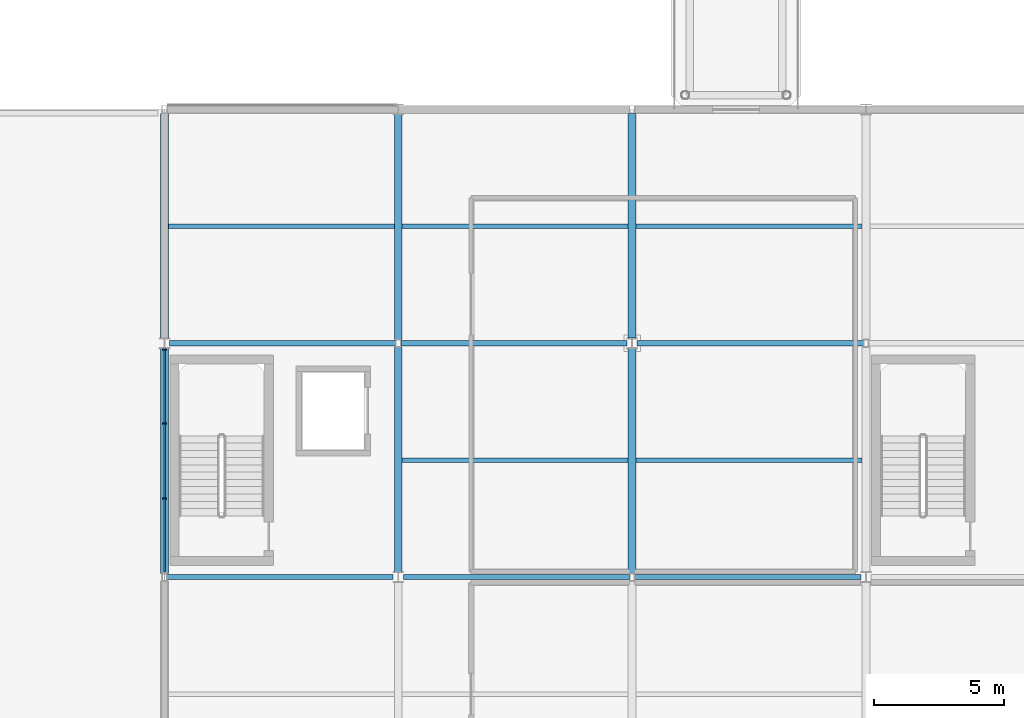
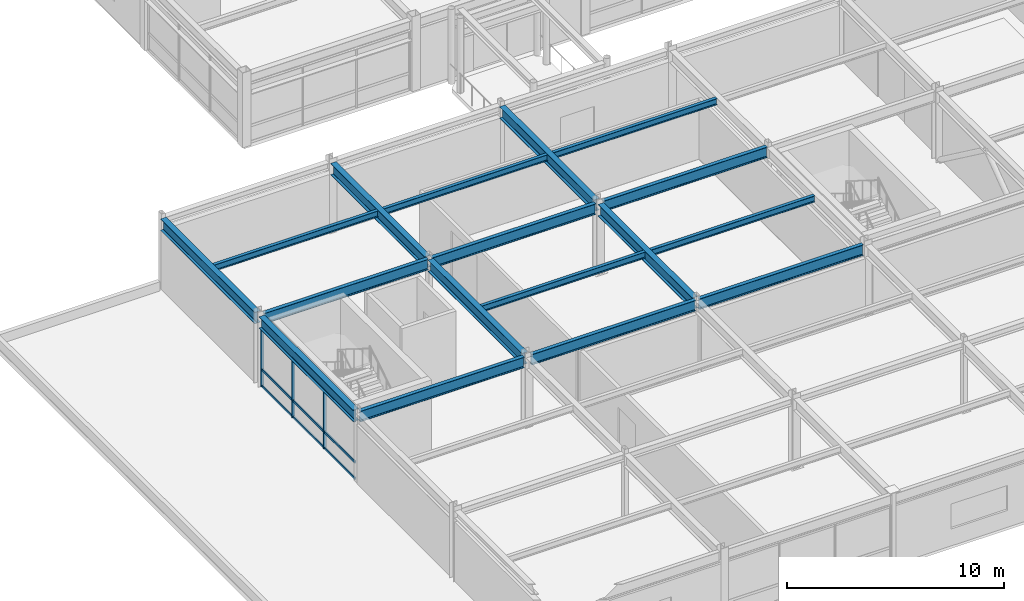
# One storey, part 50 of 105: 17 beams, 12 members, 1 element without a shape of its own.
"""IFC4 building model written with IfcOpenShell, lengths in metres."""

from ifc_helpers import new_model, si_unit, direction, frame, origin, origin_2d, place, context, subcontext, project, spatial, rectangle, i_section, extrude, material, material_profile, profile_set, type_object, element, aggregate, save


model = new_model("IFC4")

# Units and contexts
model_context = context("Model", 3, precision=1e-05, world=origin(), true_north=direction((0.0, 1.0)))
body_context = subcontext(model_context, "Body", "Model", "MODEL_VIEW")
ifc_project = project(units=[si_unit("LENGTHUNIT", "METRE"), si_unit("AREAUNIT", "SQUARE_METRE"), si_unit("VOLUMEUNIT", "CUBIC_METRE"), si_unit("PLANEANGLEUNIT", "RADIAN"), si_unit("MASSUNIT", "GRAM", prefix="KILO")], contexts=[model_context])

# Site, building, storey
site_placement = place(None, origin())
site = spatial("IfcSite", under=ifc_project, at=site_placement, CompositionType="ELEMENT")
building_placement = place(site_placement, origin())
building = spatial("IfcBuilding", under=site, at=building_placement, Name="Suzunagisa Mobility Hub", CompositionType="ELEMENT")
storey_placement = place(building_placement, frame((0.0, 0.0, 5.10009765625)))
storey = spatial("IfcBuildingStorey", under=building, at=storey_placement, Name="L01", CompositionType="ELEMENT", Elevation=5.10009765625)

# Curtain wall, members
ifc_material_1 = material(Name="Thermally Broken Anodized Aluminum and Low-E Glazing", Category="aluminium")
curtain_wall_type = type_object("IfcCurtainWallType", Name="Unitised Curtain Wall CW-12 8750x3300", PredefinedType="USERDEFINED", material=ifc_material_1)
curtain_wall_placement = place(storey_placement, origin())
curtain_wall = element("IfcCurtainWall", 1, at=curtain_wall_placement, inside=storey, type_object=curtain_wall_type, Name="L01 Unitised Curtain Wall CW-154", ObjectType="UNITISED CURTAIN WALL", PredefinedType="USERDEFINED")
ifc_material_2 = material(Name="Anodized Aluminum 6063-T6", Category="aluminium")
ifc_material_profile_1 = material_profile(ifc_material_2, rectangle(XDim=0.06494140625, YDim=0.139892578125, at=origin_2d()), Name="TRAN-65x140")
ifc_profile_set_1 = profile_set([ifc_material_profile_1], Name="Anodized Aluminum 6063-T6")
member_type_1 = type_object("IfcMemberType", Name="Curtain Wall Framing CM-01 TRAN-65x140", PredefinedType="USERDEFINED", material=ifc_profile_set_1)
member_1_placement = place(storey_placement, frame((135.0, 26.741943359375, 0.032470703125), z_axis=(0.0, -1.0, 0.0), x_axis=(1.0, 0.0, 0.0)))
member_1 = element("IfcMember", 2, at=member_1_placement, type_object=member_type_1, Name="Curtain Wall Transom 154-T1.1", ObjectType="TRANSOM", PredefinedType="USERDEFINED", context=body_context, shape_type="SweptSolid", body=[
    extrude(rectangle(XDim=0.06494140625, YDim=0.139892578125, at=origin_2d()), origin(), (0.0, 0.0, 1.0), 2.79736328125),
])
member_2_placement = place(storey_placement, frame((135.0, 26.741943359375, 0.949951171875), z_axis=(0.0, -1.0, 0.0), x_axis=(1.0, 0.0, 0.0)))
member_2 = element("IfcMember", 3, at=member_2_placement, type_object=member_type_1, Name="Curtain Wall Transom 154-T1.2", ObjectType="TRANSOM", PredefinedType="USERDEFINED", context=body_context, shape_type="SweptSolid", body=[
    extrude(rectangle(XDim=0.06494140625, YDim=0.139892578125, at=origin_2d()), origin(), (0.0, 0.0, 1.0), 2.79736328125),
])
member_3_placement = place(storey_placement, frame((135.0, 26.741943359375, 3.25732421875), z_axis=(0.0, -1.0, 0.0), x_axis=(1.0, 0.0, 0.0)))
member_3 = element("IfcMember", 4, at=member_3_placement, type_object=member_type_1, Name="Curtain Wall Transom 154-T1.3", ObjectType="TRANSOM", PredefinedType="USERDEFINED", context=body_context, shape_type="SweptSolid", body=[
    extrude(rectangle(XDim=0.06494140625, YDim=0.139892578125, at=origin_2d()), origin(), (0.0, 0.0, 1.0), 2.79736328125),
])
member_4_placement = place(storey_placement, frame((135.0, 23.888671875, 0.032470703125), z_axis=(0.0, -1.0, 0.0), x_axis=(1.0, 0.0, 0.0)))
member_4 = element("IfcMember", 5, at=member_4_placement, type_object=member_type_1, Name="Curtain Wall Transom 154-T2.1", ObjectType="TRANSOM", PredefinedType="USERDEFINED", context=body_context, shape_type="SweptSolid", body=[
    extrude(rectangle(XDim=0.06494140625, YDim=0.139892578125, at=origin_2d()), origin(), (0.0, 0.0, 1.0), 2.827392578125),
])
member_5_placement = place(storey_placement, frame((135.0, 23.888671875, 0.949951171875), z_axis=(0.0, -1.0, 0.0), x_axis=(1.0, 0.0, 0.0)))
member_5 = element("IfcMember", 6, at=member_5_placement, type_object=member_type_1, Name="Curtain Wall Transom 154-T2.2", ObjectType="TRANSOM", PredefinedType="USERDEFINED", context=body_context, shape_type="SweptSolid", body=[
    extrude(rectangle(XDim=0.06494140625, YDim=0.139892578125, at=origin_2d()), origin(), (0.0, 0.0, 1.0), 2.827392578125),
])
member_6_placement = place(storey_placement, frame((135.0, 23.888671875, 3.25732421875), z_axis=(0.0, -1.0, 0.0), x_axis=(1.0, 0.0, 0.0)))
member_6 = element("IfcMember", 7, at=member_6_placement, type_object=member_type_1, Name="Curtain Wall Transom 154-T2.3", ObjectType="TRANSOM", PredefinedType="USERDEFINED", context=body_context, shape_type="SweptSolid", body=[
    extrude(rectangle(XDim=0.06494140625, YDim=0.139892578125, at=origin_2d()), origin(), (0.0, 0.0, 1.0), 2.827392578125),
])
member_7_placement = place(storey_placement, frame((135.0, 21.00537109375, 0.032470703125), z_axis=(0.0, -1.0, 0.0), x_axis=(1.0, 0.0, 0.0)))
member_7 = element("IfcMember", 8, at=member_7_placement, type_object=member_type_1, Name="Curtain Wall Transom 154-T3.1", ObjectType="TRANSOM", PredefinedType="USERDEFINED", context=body_context, shape_type="SweptSolid", body=[
    extrude(rectangle(XDim=0.06494140625, YDim=0.139892578125, at=origin_2d()), origin(), (0.0, 0.0, 1.0), 2.79736328125),
])
member_8_placement = place(storey_placement, frame((135.0, 21.00537109375, 0.949951171875), z_axis=(0.0, -1.0, 0.0), x_axis=(1.0, 0.0, 0.0)))
member_8 = element("IfcMember", 9, at=member_8_placement, type_object=member_type_1, Name="Curtain Wall Transom 154-T3.2", ObjectType="TRANSOM", PredefinedType="USERDEFINED", context=body_context, shape_type="SweptSolid", body=[
    extrude(rectangle(XDim=0.06494140625, YDim=0.139892578125, at=origin_2d()), origin(), (0.0, 0.0, 1.0), 2.79736328125),
])
member_9_placement = place(storey_placement, frame((135.0, 21.00537109375, 3.25732421875), z_axis=(0.0, -1.0, 0.0), x_axis=(1.0, 0.0, 0.0)))
member_9 = element("IfcMember", 10, at=member_9_placement, type_object=member_type_1, Name="Curtain Wall Transom 154-T3.3", ObjectType="TRANSOM", PredefinedType="USERDEFINED", context=body_context, shape_type="SweptSolid", body=[
    extrude(rectangle(XDim=0.06494140625, YDim=0.139892578125, at=origin_2d()), origin(), (0.0, 0.0, 1.0), 2.79736328125),
])
ifc_material_profile_2 = material_profile(ifc_material_2, rectangle(XDim=0.06005859375, YDim=0.14990234375, at=origin_2d()), Name="MULL-60x150")
ifc_profile_set_2 = profile_set([ifc_material_profile_2], Name="Anodized Aluminum 6063-T6")
member_type_2 = type_object("IfcMemberType", Name="Curtain Wall Framing CM-03 MULL-60x150", PredefinedType="MULLION", material=ifc_profile_set_2)
member_10_placement = place(storey_placement, frame((135.0, 26.77001953125, 0.0), z_axis=(0.0, 0.0, 1.0), x_axis=(0.0, -1.0, 0.0)))
member_10 = element("IfcMember", 11, at=member_10_placement, type_object=member_type_2, Name="Curtain Wall Mullion 154-M1", PredefinedType="MULLION", context=body_context, shape_type="SweptSolid", body=[
    extrude(rectangle(XDim=0.06005859375, YDim=0.14990234375, at=origin_2d()), origin(), (0.0, 0.0, 1.0), 3.289794921875),
])
member_11_placement = place(storey_placement, frame((135.0, 23.916748046875, 0.0), z_axis=(0.0, 0.0, 1.0), x_axis=(0.0, -1.0, 0.0)))
member_11 = element("IfcMember", 12, at=member_11_placement, type_object=member_type_2, Name="Curtain Wall Mullion 154-M2", PredefinedType="MULLION", context=body_context, shape_type="SweptSolid", body=[
    extrude(rectangle(XDim=0.06005859375, YDim=0.14990234375, at=origin_2d()), origin(), (0.0, 0.0, 1.0), 3.289794921875),
])
member_12_placement = place(storey_placement, frame((135.0, 21.033203125, 0.0), z_axis=(0.0, 0.0, 1.0), x_axis=(0.0, -1.0, 0.0)))
member_12 = element("IfcMember", 13, at=member_12_placement, type_object=member_type_2, Name="Curtain Wall Mullion 154-M3", PredefinedType="MULLION", context=body_context, shape_type="SweptSolid", body=[
    extrude(rectangle(XDim=0.06005859375, YDim=0.14990234375, at=origin_2d()), origin(), (0.0, 0.0, 1.0), 3.289794921875),
])
aggregate(curtain_wall, [member_10, member_11, member_12, member_1, member_2, member_3, member_4, member_5, member_6, member_7, member_8, member_9])

# Beams
ifc_material_3 = material(Name="Steel SN400B", Category="steel")
ifc_material_profile_3 = material_profile(ifc_material_3, i_section(OverallWidth=0.175048828125, OverallDepth=0.35009765625, WebThickness=0.007080078125, FlangeThickness=0.010986328125, FilletRadius=0.008056640625, at=origin_2d()), Name="H-350x175x7x11")
ifc_profile_set_3 = profile_set([ifc_material_profile_3], Name="Steel SN400B")
beam_type_1 = type_object("IfcBeamType", Name="Steel Beam BM-03 H-350x175x7x11", PredefinedType="JOIST", material=ifc_profile_set_3)
for number, where, z_axis, x_axis, name in (
    (14, (135.14990234375, 31.5, 3.77490234375), (1.0, 0.0, 0.0), (0.0, 1.0, 0.0), "L01 Composite Floor Joist J-1508"),
    (15, (144.14990234375, 22.5, 3.77490234375), (1.0, 0.0, 0.0), (0.0, 1.0, 0.0), "L01 Composite Floor Joist J-1510"),
    (16, (144.14990234375, 31.5, 3.77490234375), (1.0, 0.0, 0.0), (0.0, 1.0, 0.0), "L01 Composite Floor Joist J-1511"),
    (17, (153.14990234375, 22.5, 3.77490234375), (1.0, 0.0, 0.0), (0.0, 1.0, 0.0), "L01 Composite Floor Joist J-1513"),
    (18, (153.14990234375, 31.5, 3.77490234375), (1.0, 0.0, 0.0), (0.0, 1.0, 0.0), "L01 Composite Floor Joist J-1514"),
):
    element("IfcBeam", number, at=place(storey_placement, frame(where, z_axis=z_axis, x_axis=x_axis)), inside=storey, type_object=beam_type_1, Name=name, PredefinedType="JOIST", context=body_context, shape_type="SweptSolid", body=[
        extrude(i_section(OverallWidth=0.175048828125, OverallDepth=0.35009765625, WebThickness=0.007080078125, FlangeThickness=0.010986328125, FilletRadius=0.008056640625, at=origin_2d()), origin(), (0.0, 0.0, 1.0), 8.7001953125),
    ])
ifc_material_4 = material(Name="Steel SN490B", Category="steel")
ifc_material_profile_4 = material_profile(ifc_material_4, i_section(OverallWidth=0.199951171875, OverallDepth=0.60009765625, WebThickness=0.010986328125, FlangeThickness=0.01708984375, FilletRadius=0.012939453125, at=origin_2d()), Name="H-600x200x11x17")
ifc_profile_set_4 = profile_set([ifc_material_profile_4], Name="Steel SN490B")
beam_type_2 = type_object("IfcBeamType", Name="Steel Beam BM-07 H-600x200x11x17", PredefinedType="BEAM", material=ifc_profile_set_4)
for number, where, z_axis, x_axis, name in (
    (19, (135.095947265625, 18.0, 3.64990234375), (1.0, 0.0, 0.0), (0.0, 1.0, 0.0), "L01 Primary Girder GX-1474"),
    (20, (144.196044921875, 18.0, 3.64990234375), (1.0, 0.0, 0.0), (0.0, 1.0, 0.0), "L01 Primary Girder GX-1475"),
    (21, (153.095947265625, 18.0, 3.64990234375), (1.0, 0.0, 0.0), (0.0, 1.0, 0.0), "L01 Primary Girder GX-1476"),
    (22, (135.196044921875, 27.0, 3.64990234375), (1.0, 0.0, 0.0), (0.0, 1.0, 0.0), "L01 Primary Girder GX-1479"),
    (23, (144.095947265625, 27.0, 3.64990234375), (1.0, 0.0, 0.0), (0.0, 1.0, 0.0), "L01 Primary Girder GX-1480"),
    (24, (153.196044921875, 27.0, 3.64990234375), (1.0, 0.0, 0.0), (0.0, 1.0, 0.0), "L01 Primary Girder GX-1481"),
):
    element("IfcBeam", number, at=place(storey_placement, frame(where, z_axis=z_axis, x_axis=x_axis)), inside=storey, type_object=beam_type_2, Name=name, PredefinedType="BEAM", context=body_context, shape_type="SweptSolid", body=[
        extrude(i_section(OverallWidth=0.199951171875, OverallDepth=0.60009765625, WebThickness=0.010986328125, FlangeThickness=0.01708984375, FilletRadius=0.012939453125, at=origin_2d()), origin(), (0.0, 0.0, 1.0), 8.7080078125),
    ])
ifc_material_profile_5 = material_profile(ifc_material_4, i_section(OverallWidth=0.300048828125, OverallDepth=0.64990234375, WebThickness=0.012939453125, FlangeThickness=0.02197265625, FilletRadius=0.01611328125, at=origin_2d()), Name="H-650x300x13x22")
ifc_profile_set_5 = profile_set([ifc_material_profile_5], Name="Steel SN490B")
beam_type_3 = type_object("IfcBeamType", Name="Steel Beam BM-10 H-650x300x13x22", PredefinedType="BEAM", material=ifc_profile_set_5)
for number, where, z_axis, x_axis, name in (
    (25, (135.0, 18.14599609375, 3.625), (0.0, 1.0, 0.0), (-1.0, 0.0, 0.0), "L01 Primary Girder GY-1490"),
    (26, (135.0, 27.196044921875, 3.625), (0.0, 1.0, 0.0), (-1.0, 0.0, 0.0), "L01 Primary Girder GY-1491"),
    (27, (144.0, 18.196044921875, 3.625), (0.0, 1.0, 0.0), (-1.0, 0.0, 0.0), "L01 Primary Girder GY-1493"),
    (28, (144.0, 27.14599609375, 3.625), (0.0, 1.0, 0.0), (-1.0, 0.0, 0.0), "L01 Primary Girder GY-1494"),
    (29, (153.0, 18.14599609375, 3.625), (0.0, 1.0, 0.0), (-1.0, 0.0, 0.0), "L01 Primary Girder GY-1496"),
    (30, (153.0, 27.196044921875, 3.625), (0.0, 1.0, 0.0), (-1.0, 0.0, 0.0), "L01 Primary Girder GY-1497"),
):
    element("IfcBeam", number, at=place(storey_placement, frame(where, z_axis=z_axis, x_axis=x_axis)), inside=storey, type_object=beam_type_3, Name=name, PredefinedType="BEAM", context=body_context, shape_type="SweptSolid", body=[
        extrude(i_section(OverallWidth=0.300048828125, OverallDepth=0.64990234375, WebThickness=0.012939453125, FlangeThickness=0.02197265625, FilletRadius=0.01611328125, at=origin_2d()), origin(), (0.0, 0.0, 1.0), 8.657958984375),
    ])

save(model, "model.ifc")
